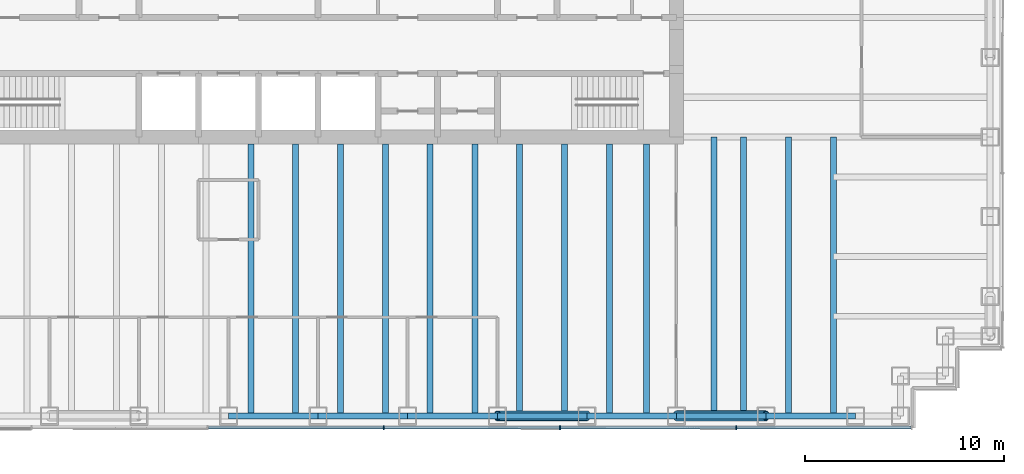
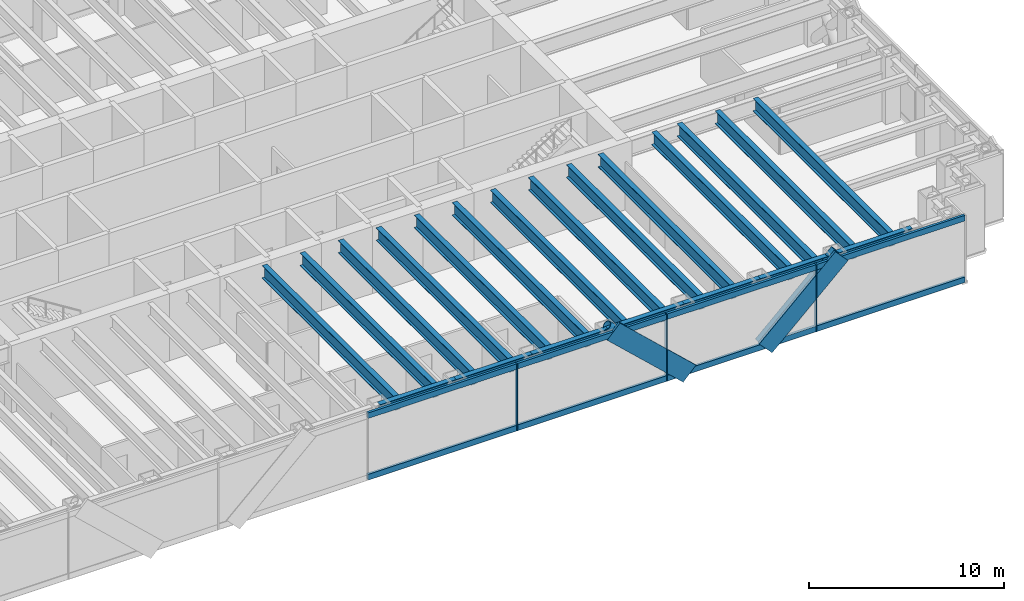
# One storey, part 4 of 15: 21 beams, 15 members, 1 element without a shape of its own.
"""IFC4 building model written with IfcOpenShell, lengths in metres."""

from ifc_helpers import new_model, si_unit, direction, frame, origin, origin_2d, place, context, subcontext, project, spatial, rectangle, hollow_circle, i_section, extrude, material, material_profile, profile_set, type_object, element, aggregate, save


model = new_model("IFC4")

# Units and contexts
model_context = context("Model", 3, precision=1e-05, world=origin(), true_north=direction((0.0, 1.0)))
body_context = subcontext(model_context, "Body", "Model", "MODEL_VIEW")
ifc_project = project(units=[si_unit("LENGTHUNIT", "METRE"), si_unit("AREAUNIT", "SQUARE_METRE"), si_unit("VOLUMEUNIT", "CUBIC_METRE"), si_unit("PLANEANGLEUNIT", "RADIAN"), si_unit("MASSUNIT", "GRAM", prefix="KILO")], contexts=[model_context])

# Site, building, storey
site_placement = place(None, origin())
site = spatial("IfcSite", under=ifc_project, at=site_placement, CompositionType="ELEMENT")
building_placement = place(site_placement, origin())
building = spatial("IfcBuilding", under=site, at=building_placement, Name="Rheinbord Bourse Tower", CompositionType="ELEMENT")
storey_placement = place(building_placement, frame((0.0, 0.0, 292.10009765625)))
storey = spatial("IfcBuildingStorey", under=building, at=storey_placement, Name="L66", CompositionType="ELEMENT", Elevation=292.10009765625)

# Curtain wall, members
ifc_material_1 = material(Name="Dark glass and black aluminium", Category="aluminium")
curtain_wall_type = type_object("IfcCurtainWallType", Name="CW3 DARK GLASS CURTAIN WALL", PredefinedType="USERDEFINED", material=ifc_material_1)
curtain_wall_placement = place(storey_placement, origin())
curtain_wall = element("IfcCurtainWall", 1, at=curtain_wall_placement, inside=storey, type_object=curtain_wall_type, Name="Curtain wall CW3 S L66", ObjectType="UNITISED CURTAIN WALL", PredefinedType="USERDEFINED")
ifc_material_2 = material(Name="Black anodised aluminium", Category="aluminium")
ifc_material_profile_1 = material_profile(ifc_material_2, rectangle(XDim=0.14990234375, YDim=1.10791015625, at=origin_2d()), Name="CW3 DIAGONAL MULLION 1108x150")
ifc_profile_set_1 = profile_set([ifc_material_profile_1], Name="Black anodised aluminium")
member_type_1 = type_object("IfcMemberType", Name="CW3 BLACK DIAGONAL MULLION", PredefinedType="USERDEFINED", material=ifc_profile_set_1)
member_1_placement = place(storey_placement, frame((54.0, 1.39990234375, 0.0), z_axis=(0.73105922506, 0.0, 0.682314010889), x_axis=(0.0, 1.0, 0.0)))
member_1 = element("IfcMember", 2, at=member_1_placement, type_object=member_type_1, Name="CW3 diagonal mullion a", ObjectType="DIAGONAL MULLION", PredefinedType="USERDEFINED", context=body_context, shape_type="SweptSolid", body=[
    extrude(rectangle(XDim=0.14990234375, YDim=1.10791015625, at=origin_2d()), origin(), (0.0, 0.0, 1.0), 6.155517578125),
])
member_2_placement = place(storey_placement, frame((49.5, 1.39990234375, 0.0), z_axis=(-0.73105922506, 0.0, 0.682314010889), x_axis=(0.0, -1.0, 0.0)))
member_2 = element("IfcMember", 3, at=member_2_placement, type_object=member_type_1, Name="CW3 diagonal mullion c", ObjectType="DIAGONAL MULLION", PredefinedType="USERDEFINED", context=body_context, shape_type="SweptSolid", body=[
    extrude(rectangle(XDim=0.14990234375, YDim=1.10791015625, at=origin_2d()), origin(), (0.0, 0.0, 1.0), 6.155517578125),
])
ifc_material_3 = material(Name="Black anodised aluminium", Category="aluminium")
ifc_material_profile_2 = material_profile(ifc_material_3, rectangle(XDim=0.199951171875, YDim=0.06494140625, at=origin_2d()), Name="CW3 MULLION 65x200")
ifc_profile_set_2 = profile_set([ifc_material_profile_2], Name="Black anodised aluminium")
member_type_2 = type_object("IfcMemberType", Name="CW3 BLACK MULLION", PredefinedType="MULLION", material=ifc_profile_set_2)
member_3_placement = place(storey_placement, frame((39.300048828125, 1.39990234375, 0.0), z_axis=(0.0, 0.0, 1.0), x_axis=(0.0, 1.0, 0.0)))
member_3 = element("IfcMember", 4, at=member_3_placement, type_object=member_type_2, Name="CW3 mullion 5", PredefinedType="MULLION", context=body_context, shape_type="SweptSolid", body=[
    extrude(rectangle(XDim=0.199951171875, YDim=0.06494140625, at=origin_2d()), origin(), (0.0, 0.0, 1.0), 4.199951171875),
])
member_4_placement = place(storey_placement, frame((48.14990234375, 1.39990234375, 0.0), z_axis=(0.0, 0.0, 1.0), x_axis=(0.0, 1.0, 0.0)))
member_4 = element("IfcMember", 5, at=member_4_placement, type_object=member_type_2, Name="CW3 mullion 6", PredefinedType="MULLION", context=body_context, shape_type="SweptSolid", body=[
    extrude(rectangle(XDim=0.199951171875, YDim=0.06494140625, at=origin_2d()), origin(), (0.0, 0.0, 1.0), 4.199951171875),
])
member_5_placement = place(storey_placement, frame((57.0, 1.39990234375, 0.0), z_axis=(0.0, 0.0, 1.0), x_axis=(0.0, 1.0, 0.0)))
member_5 = element("IfcMember", 6, at=member_5_placement, type_object=member_type_2, Name="CW3 mullion 7", PredefinedType="MULLION", context=body_context, shape_type="SweptSolid", body=[
    extrude(rectangle(XDim=0.199951171875, YDim=0.06494140625, at=origin_2d()), origin(), (0.0, 0.0, 1.0), 4.199951171875),
])
ifc_material_4 = material(Name="Black anodised aluminium", Category="aluminium")
ifc_material_profile_3 = material_profile(ifc_material_4, rectangle(XDim=0.14990234375, YDim=0.35009765625, at=origin_2d()), Name="CW3 TRANSOM 350x150")
ifc_profile_set_3 = profile_set([ifc_material_profile_3], Name="Black anodised aluminium")
member_type_3 = type_object("IfcMemberType", Name="CW3 BLACK TRANSOM", PredefinedType="USERDEFINED", material=ifc_profile_set_3)
member_6_placement = place(storey_placement, frame((30.482421875, 1.39990234375, 0.1748046875), z_axis=(1.0, 0.0, 0.0), x_axis=(0.0, 1.0, 0.0)))
member_6 = element("IfcMember", 7, at=member_6_placement, type_object=member_type_3, Name="CW3 transom 4.1", ObjectType="TRANSOM", PredefinedType="USERDEFINED", context=body_context, shape_type="SweptSolid", body=[
    extrude(rectangle(XDim=0.14990234375, YDim=0.35009765625, at=origin_2d()), origin(), (0.0, 0.0, 1.0), 8.78515625),
])
member_7_placement = place(storey_placement, frame((30.482421875, 1.39990234375, 4.02490234375), z_axis=(1.0, 0.0, 0.0), x_axis=(0.0, 1.0, 0.0)))
member_7 = element("IfcMember", 8, at=member_7_placement, type_object=member_type_3, Name="CW3 transom 4.2", ObjectType="TRANSOM", PredefinedType="USERDEFINED", context=body_context, shape_type="SweptSolid", body=[
    extrude(rectangle(XDim=0.14990234375, YDim=0.35009765625, at=origin_2d()), origin(), (0.0, 0.0, 1.0), 8.78515625),
])
member_8_placement = place(storey_placement, frame((39.33251953125, 1.39990234375, 0.1748046875), z_axis=(1.0, 0.0, 0.0), x_axis=(0.0, 1.0, 0.0)))
member_8 = element("IfcMember", 9, at=member_8_placement, type_object=member_type_3, Name="CW3 transom 5.1", ObjectType="TRANSOM", PredefinedType="USERDEFINED", context=body_context, shape_type="SweptSolid", body=[
    extrude(rectangle(XDim=0.14990234375, YDim=0.35009765625, at=origin_2d()), origin(), (0.0, 0.0, 1.0), 8.784912109375),
])
member_9_placement = place(storey_placement, frame((39.33251953125, 1.39990234375, 4.02490234375), z_axis=(1.0, 0.0, 0.0), x_axis=(0.0, 1.0, 0.0)))
member_9 = element("IfcMember", 10, at=member_9_placement, type_object=member_type_3, Name="CW3 transom 5.2", ObjectType="TRANSOM", PredefinedType="USERDEFINED", context=body_context, shape_type="SweptSolid", body=[
    extrude(rectangle(XDim=0.14990234375, YDim=0.35009765625, at=origin_2d()), origin(), (0.0, 0.0, 1.0), 8.784912109375),
])
member_10_placement = place(storey_placement, frame((48.1826171875, 1.39990234375, 0.1748046875), z_axis=(1.0, 0.0, 0.0), x_axis=(0.0, 1.0, 0.0)))
member_10 = element("IfcMember", 11, at=member_10_placement, type_object=member_type_3, Name="CW3 transom 6.1", ObjectType="TRANSOM", PredefinedType="USERDEFINED", context=body_context, shape_type="SweptSolid", body=[
    extrude(rectangle(XDim=0.14990234375, YDim=0.35009765625, at=origin_2d()), origin(), (0.0, 0.0, 1.0), 8.784912109375),
])
member_11_placement = place(storey_placement, frame((48.1826171875, 1.39990234375, 4.02490234375), z_axis=(1.0, 0.0, 0.0), x_axis=(0.0, 1.0, 0.0)))
member_11 = element("IfcMember", 12, at=member_11_placement, type_object=member_type_3, Name="CW3 transom 6.2", ObjectType="TRANSOM", PredefinedType="USERDEFINED", context=body_context, shape_type="SweptSolid", body=[
    extrude(rectangle(XDim=0.14990234375, YDim=0.35009765625, at=origin_2d()), origin(), (0.0, 0.0, 1.0), 8.784912109375),
])
member_12_placement = place(storey_placement, frame((57.032470703125, 1.39990234375, 0.1748046875), z_axis=(1.0, 0.0, 0.0), x_axis=(0.0, 1.0, 0.0)))
member_12 = element("IfcMember", 13, at=member_12_placement, type_object=member_type_3, Name="CW3 transom 7.1", ObjectType="TRANSOM", PredefinedType="USERDEFINED", context=body_context, shape_type="SweptSolid", body=[
    extrude(rectangle(XDim=0.14990234375, YDim=0.35009765625, at=origin_2d()), origin(), (0.0, 0.0, 1.0), 8.75244140625),
])
member_13_placement = place(storey_placement, frame((57.032470703125, 1.39990234375, 4.02490234375), z_axis=(1.0, 0.0, 0.0), x_axis=(0.0, 1.0, 0.0)))
member_13 = element("IfcMember", 14, at=member_13_placement, type_object=member_type_3, Name="CW3 transom 7.2", ObjectType="TRANSOM", PredefinedType="USERDEFINED", context=body_context, shape_type="SweptSolid", body=[
    extrude(rectangle(XDim=0.14990234375, YDim=0.35009765625, at=origin_2d()), origin(), (0.0, 0.0, 1.0), 8.75244140625),
])
aggregate(curtain_wall, [member_3, member_4, member_5, member_6, member_7, member_8, member_9, member_10, member_11, member_12, member_13, member_1, member_2])

# Beams
ifc_material_5 = material(Name="Steel S460", Category="steel")
ifc_material_profile_4 = material_profile(ifc_material_5, i_section(OverallWidth=0.300048828125, OverallDepth=0.800048828125, WebThickness=0.017578125, FlangeThickness=0.032958984375, at=origin_2d()), Name="HEB 800")
ifc_profile_set_4 = profile_set([ifc_material_profile_4], Name="Steel S460")
beam_type_1 = type_object("IfcBeamType", Name="FLOOR BEAM HEB 800", PredefinedType="BEAM", material=ifc_profile_set_4)
for number, where, z_axis, x_axis, name in (
    (15, (32.625, 2.0, 3.639892578125), (0.0, 1.0, 0.0), (-1.0, 0.0, 0.0), "Floor beam S-31.5a L67"),
    (16, (34.875, 2.0, 3.639892578125), (0.0, 1.0, 0.0), (-1.0, 0.0, 0.0), "Floor beam S-31.5b L67"),
    (17, (37.125, 2.0, 3.639892578125), (0.0, 1.0, 0.0), (-1.0, 0.0, 0.0), "Floor beam S-36a L67"),
    (18, (39.375, 2.0, 3.639892578125), (0.0, 1.0, 0.0), (-1.0, 0.0, 0.0), "Floor beam S-36b L67"),
    (19, (41.625, 2.0, 3.639892578125), (0.0, 1.0, 0.0), (-1.0, 0.0, 0.0), "Floor beam S-40.5a L67"),
    (20, (43.875, 2.0, 3.639892578125), (0.0, 1.0, 0.0), (-1.0, 0.0, 0.0), "Floor beam S-40.5b L67"),
    (21, (46.125, 2.0, 3.639892578125), (0.0, 1.0, 0.0), (-1.0, 0.0, 0.0), "Floor beam S-45a L67"),
    (22, (48.375, 2.0, 3.639892578125), (0.0, 1.0, 0.0), (-1.0, 0.0, 0.0), "Floor beam S-45b L67"),
    (23, (50.625, 2.0, 3.639892578125), (0.0, 1.0, 0.0), (-1.0, 0.0, 0.0), "Floor beam S-49.5a L67"),
    (24, (52.5, 2.0, 3.639892578125), (0.0, 1.0, 0.0), (-1.0, 0.0, 0.0), "Floor beam S-49.5b L67"),
):
    element("IfcBeam", number, at=place(storey_placement, frame(where, z_axis=z_axis, x_axis=x_axis)), inside=storey, type_object=beam_type_1, Name=name, PredefinedType="BEAM", context=body_context, shape_type="SweptSolid", body=[
        extrude(i_section(OverallWidth=0.300048828125, OverallDepth=0.800048828125, WebThickness=0.017578125, FlangeThickness=0.032958984375, at=origin_2d()), origin(), (0.0, 0.0, 1.0), 13.64990234375),
    ])
for number, where, z_axis, x_axis, name in (
    (25, (55.875, 2.0, 3.639892578125), (0.0, 1.0, 0.0), (-1.0, 0.0, 0.0), "Floor beam S-54a L67"),
    (26, (57.375, 2.0, 3.639892578125), (0.0, 1.0, 0.0), (-1.0, 0.0, 0.0), "Floor beam S-54b L67"),
    (27, (59.625, 2.0, 3.639892578125), (0.0, 1.0, 0.0), (-1.0, 0.0, 0.0), "Floor beam S-58.5a L67"),
    (28, (61.875, 2.0, 3.639892578125), (0.0, 1.0, 0.0), (-1.0, 0.0, 0.0), "Floor beam S-58.5b L67"),
):
    element("IfcBeam", number, at=place(storey_placement, frame(where, z_axis=z_axis, x_axis=x_axis)), inside=storey, type_object=beam_type_1, Name=name, PredefinedType="BEAM", context=body_context, shape_type="SweptSolid", body=[
        extrude(i_section(OverallWidth=0.300048828125, OverallDepth=0.800048828125, WebThickness=0.017578125, FlangeThickness=0.032958984375, at=origin_2d()), origin(), (0.0, 0.0, 1.0), 14.0),
    ])

# Members
ifc_material_6 = material(Name="Steel S460", Category="steel")
ifc_material_profile_5 = material_profile(ifc_material_6, hollow_circle(Radius=0.25390625, WallThickness=0.030029296875, at=origin_2d()), Name="CHS 508x30")
ifc_profile_set_5 = profile_set([ifc_material_profile_5], Name="Steel S460")
member_type_4 = type_object("IfcMemberType", Name="MEGABRACE CHS 508x30", PredefinedType="BRACE", material=ifc_profile_set_5)
for number, where, z_axis, x_axis, name in (
    (29, (54.0, 2.0, 0.0), (0.73105922506, 0.0, 0.682314010889), (0.0, 1.0, 0.0), "Megabrace S face line a L66"),
    (30, (49.5, 2.0, 0.0), (-0.73105922506, 0.0, 0.682314010889), (0.0, -1.0, 0.0), "Megabrace S face line c L66"),
):
    element("IfcMember", number, at=place(storey_placement, frame(where, z_axis=z_axis, x_axis=x_axis)), inside=storey, type_object=member_type_4, Name=name, PredefinedType="BRACE", context=body_context, shape_type="SweptSolid", body=[
        extrude(hollow_circle(Radius=0.25390625, WallThickness=0.030029296875, at=origin_2d()), origin(), (0.0, 0.0, 1.0), 6.155517578125),
    ])

# Beams
ifc_material_7 = material(Name="Steel S460", Category="steel")
ifc_material_profile_6 = material_profile(ifc_material_7, i_section(OverallWidth=0.300048828125, OverallDepth=0.550048828125, WebThickness=0.014892578125, FlangeThickness=0.029052734375, at=origin_2d()), Name="HEB 550")
ifc_profile_set_6 = profile_set([ifc_material_profile_6], Name="Steel S460")
beam_type_2 = type_object("IfcBeamType", Name="SPANDREL HEB 550", PredefinedType="SPANDREL", material=ifc_profile_set_6)
for number, where, z_axis, x_axis, name in (
    (31, (31.5, 2.0, 3.764892578125), (1.0, 0.0, 0.0), (0.0, 1.0, 0.0), "Spandrel S-31.5-S-36 under L67"),
    (32, (36.0, 2.0, 3.764892578125), (1.0, 0.0, 0.0), (0.0, 1.0, 0.0), "Spandrel S-36-S-40.5 under L67"),
    (33, (40.5, 2.0, 3.764892578125), (1.0, 0.0, 0.0), (0.0, 1.0, 0.0), "Spandrel S-40.5-S-45 under L67"),
    (34, (45.0, 2.0, 3.764892578125), (1.0, 0.0, 0.0), (0.0, 1.0, 0.0), "Spandrel S-45-S-49.5 under L67"),
    (35, (49.5, 2.0, 3.764892578125), (1.0, 0.0, 0.0), (0.0, 1.0, 0.0), "Spandrel S-49.5-S-54 under L67"),
    (36, (54.0, 2.0, 3.764892578125), (1.0, 0.0, 0.0), (0.0, 1.0, 0.0), "Spandrel S-54-S-58.5 under L67"),
    (37, (58.5, 2.0, 3.764892578125), (1.0, 0.0, 0.0), (0.0, 1.0, 0.0), "Spandrel S-58.5-S-63 under L67"),
):
    element("IfcBeam", number, at=place(storey_placement, frame(where, z_axis=z_axis, x_axis=x_axis)), inside=storey, type_object=beam_type_2, Name=name, PredefinedType="SPANDREL", context=body_context, shape_type="SweptSolid", body=[
        extrude(i_section(OverallWidth=0.300048828125, OverallDepth=0.550048828125, WebThickness=0.014892578125, FlangeThickness=0.029052734375, at=origin_2d()), origin(), (0.0, 0.0, 1.0), 4.5),
    ])

save(model, "model.ifc")
